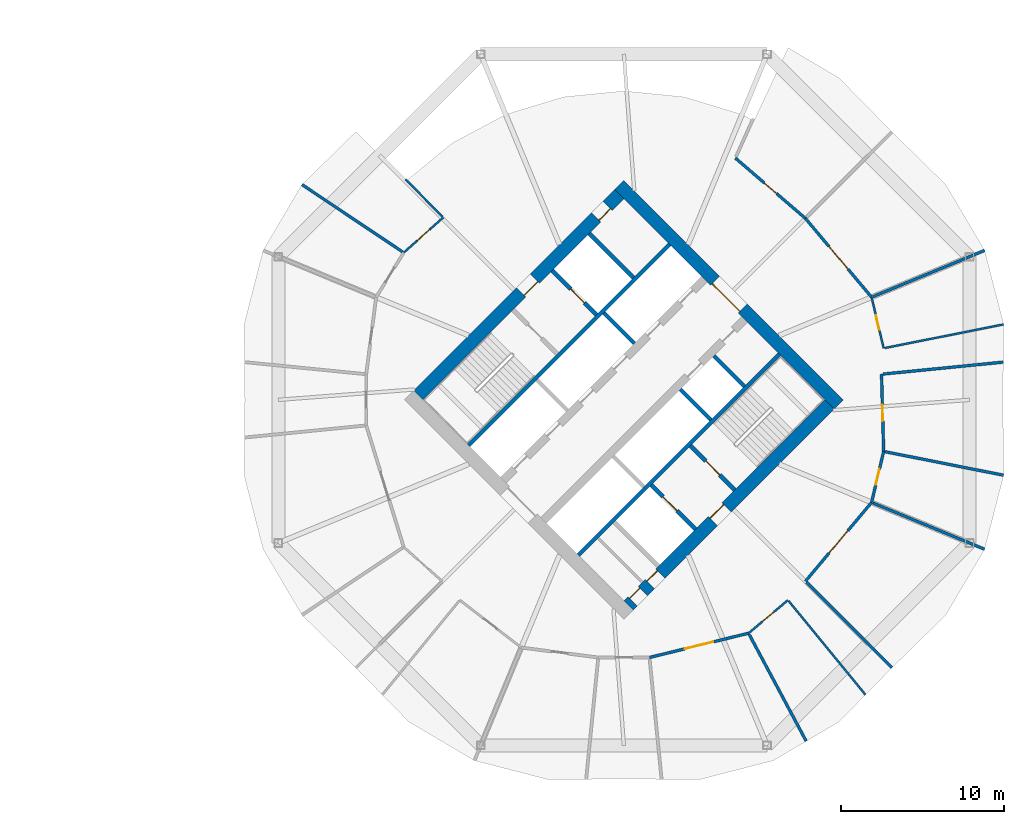
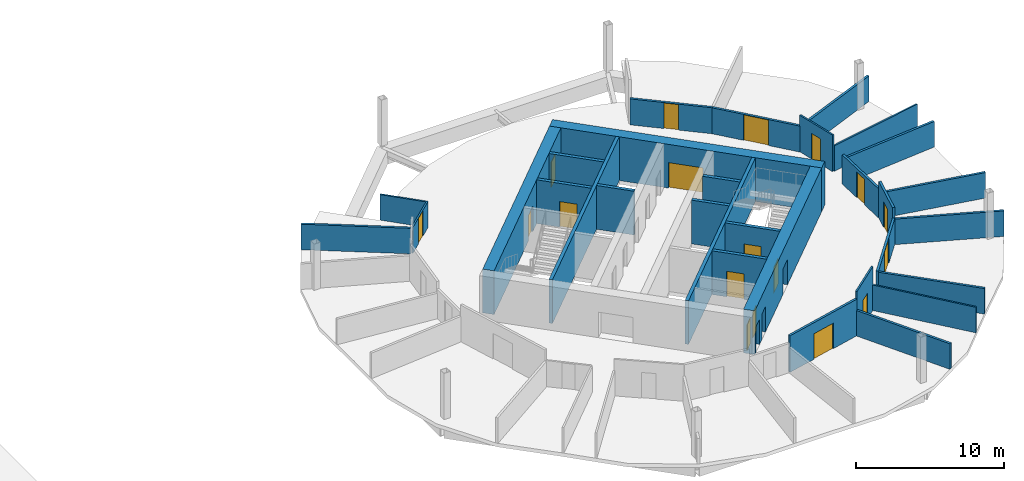
# One storey, part 7 of 9: 31 walls, 18 doors, 18 openings.
"""IFC4 building model written with IfcOpenShell, lengths in metres."""

import ifcopenshell
import ifcopenshell.guid

model = None  # the IFC model being written
_history = None  # IfcOwnerHistory: only IFC2X3 demands one
_inside = {}  # id of a spatial element -> (the spatial element, [elements in it])
_under = {}  # id of a project, library or spatial element -> (it, [spatial elements below it])
_declared = {}  # id of a project -> (the project, [libraries it declares])
_typed = {}  # id of a type object -> (the type object, [elements of that type])
_made_of = {}  # id of a material, layer set ... -> (it, [elements and type objects made of it])


def new_model(schema):
    """Start an empty IFC model of exactly this schema.

    Asked for "IFC4X3", IfcOpenShell would pick the latest addendum, in which some entities
    have other attributes; the version numbers below select the first issue.
    IFC2X3 requires an IfcOwnerHistory on every rooted entity: one is made here for all.
    """
    global model, _history
    if schema == "IFC4X3":
        model = ifcopenshell.file(schema_version=(4, 3, 0, 0))
    else:
        model = ifcopenshell.file(schema=schema)
    _inside.clear()
    _under.clear()
    _declared.clear()
    _typed.clear()
    _made_of.clear()
    _history = None
    if model.schema == "IFC2X3":
        org = make("IfcOrganization", Name="unknown")
        user = make(
            "IfcPersonAndOrganization",
            ThePerson=make("IfcPerson", FamilyName="unknown"),
            TheOrganization=org,
        )
        app = make(
            "IfcApplication",
            ApplicationDeveloper=org,
            Version="unknown",
            ApplicationFullName="unknown",
            ApplicationIdentifier="unknown",
        )
        _history = make(
            "IfcOwnerHistory",
            OwningUser=user,
            OwningApplication=app,
            ChangeAction="ADDED",
            CreationDate=0,
        )
    return model


def make(cls, **values):
    """One entity of the class cls with the attributes given. An attribute that is None is left unset."""
    return model.create_entity(
        cls, **{name: value for name, value in values.items() if value is not None}
    )


def rooted(cls, **values):
    """An entity with a GlobalId (a new one), such as an element, a storey or a relation."""
    return make(cls, GlobalId=ifcopenshell.guid.new(), OwnerHistory=_history, **values)


def si_unit(unit_type, name, prefix=None):
    """IfcSIUnit, for example si_unit("LENGTHUNIT", "METRE", prefix="MILLI")."""
    return make("IfcSIUnit", UnitType=unit_type, Prefix=prefix, Name=name)


def assignment(units):
    """IfcUnitAssignment: the units of a project."""
    return None if units is None else make("IfcUnitAssignment", Units=units)


def point(xyz):
    """IfcCartesianPoint."""
    return None if xyz is None else make("IfcCartesianPoint", Coordinates=xyz)


def direction(xyz):
    """IfcDirection."""
    return None if xyz is None else make("IfcDirection", DirectionRatios=xyz)


def frame(location, z_axis=None, x_axis=None):
    """IfcAxis2Placement3D, a coordinate frame: its origin and axes. An axis left out is left unset."""
    return make(
        "IfcAxis2Placement3D",
        Location=point(location),
        Axis=direction(z_axis),
        RefDirection=direction(x_axis),
    )


def frame_2d(location, x_axis=None):
    """IfcAxis2Placement2D, a coordinate frame in the plane: its origin and x axis."""
    return make(
        "IfcAxis2Placement2D", Location=point(location), RefDirection=direction(x_axis)
    )


def origin():
    """The frame at (0, 0, 0) with its axes left unset."""
    return frame((0.0, 0.0, 0.0))


def place(relative_to, where):
    """IfcLocalPlacement: puts the frame where relative to a parent placement (None: the world)."""
    return make(
        "IfcLocalPlacement", PlacementRelTo=relative_to, RelativePlacement=where
    )


def context(
    kind, dimensions, precision=None, world=None, true_north=None, identifier=None
):
    """IfcGeometricRepresentationContext, for example the 3D "Model" context."""
    return make(
        "IfcGeometricRepresentationContext",
        ContextIdentifier=identifier,
        ContextType=kind,
        CoordinateSpaceDimension=dimensions,
        Precision=precision,
        WorldCoordinateSystem=world,
        TrueNorth=true_north,
    )


def subcontext(parent, identifier, kind, view, scale=None):
    """IfcGeometricRepresentationSubContext, for example "Body" below "Model"."""
    return make(
        "IfcGeometricRepresentationSubContext",
        ContextIdentifier=identifier,
        ContextType=kind,
        ParentContext=parent,
        TargetScale=scale,
        TargetView=view,
    )


def project(units=None, contexts=None):
    """IfcProject with its units and contexts."""
    return rooted(
        "IfcProject",
        Name="project",
        RepresentationContexts=contexts,
        UnitsInContext=assignment(units),
    )


def spatial(cls, under=None, at=None, **own):
    """A site, building, storey or space (cls), placed at a placement, below another one or the project."""
    s = rooted(cls, ObjectPlacement=at, **own)
    if under is not None:
        _under.setdefault(under.id(), (under, []))[1].append(s)
    return s


def profile(cls, at=None, kind="AREA", **sizes):
    """A parametric profile (cls). Its sizes go by their IFC names, for example OverallWidth=200.0."""
    return make(cls, ProfileType=kind, Position=at, **sizes)


def rectangle(**sizes):
    """IfcRectangleProfileDef."""
    return profile("IfcRectangleProfileDef", **sizes)


def extrude(swept, where, along, depth):
    """IfcExtrudedAreaSolid: the profile swept, set in the frame where, extruded along a direction by depth."""
    return make(
        "IfcExtrudedAreaSolid",
        SweptArea=swept,
        Position=where,
        ExtrudedDirection=direction(along),
        Depth=depth,
    )


def shape(context_of_items, identifier, shape_type, items):
    """IfcShapeRepresentation: the items that make up one representation, for example the "Body"."""
    return make(
        "IfcShapeRepresentation",
        ContextOfItems=context_of_items,
        RepresentationIdentifier=identifier,
        RepresentationType=shape_type,
        Items=items,
    )


def material(Name=None, Category=None):
    """IfcMaterial."""
    return make("IfcMaterial", Name=Name, Category=Category)


def layer(
    of_material, thickness, ventilated=None, Name=None, Category=None, Priority=None
):
    """IfcMaterialLayer: one layer of a wall or slab, of a material (None: an air gap)."""
    return make(
        "IfcMaterialLayer",
        Material=of_material,
        LayerThickness=thickness,
        IsVentilated=ventilated,
        Name=Name,
        Category=Category,
        Priority=Priority,
    )


def layer_set(layers, Name=None):
    """IfcMaterialLayerSet."""
    return make("IfcMaterialLayerSet", MaterialLayers=layers, LayerSetName=Name)


def made_of(thing, what):
    """Note that an element or type object is made of a material, layer set ...; save() writes the relation."""
    if what is not None:
        _made_of.setdefault(what.id(), (what, []))[1].append(thing)
    return thing


def type_object(cls, material=None, **own):
    """A type object (cls), such as IfcWallType, which elements share."""
    return made_of(rooted(cls, **own), material)


def element(
    cls,
    number,
    at=None,
    inside=None,
    cuts=None,
    type_object=None,
    material=None,
    context=None,
    identifier="Body",
    shape_type=None,
    held_by="IfcProductDefinitionShape",
    body=None,
    shapes=None,
    **own,
):
    """One element of the class cls, such as IfcWall. Its Tag is "e" and its number.

    at: its placement. inside: the storey or other place that contains it. cuts: it is an
    opening in that element (IfcRelVoidsElement). A single representation is given by context,
    identifier, shape_type and body (its items); several are given by shapes. held_by: the class
    of the entity that holds the representations. save() writes the other relations.
    """
    e = rooted(cls, Tag="e%d" % number, ObjectPlacement=at, **own)
    if body is not None:
        shapes = [shape(context, identifier, shape_type, body)]
    if shapes is not None:
        e.Representation = make(held_by, Representations=shapes)
    if inside is not None:
        _inside.setdefault(inside.id(), (inside, []))[1].append(e)
    if cuts is not None:
        rooted(
            "IfcRelVoidsElement", RelatingBuildingElement=cuts, RelatedOpeningElement=e
        )
    if type_object is not None:
        _typed.setdefault(type_object.id(), (type_object, []))[1].append(e)
    return made_of(e, material)


def fill(opening, filler):
    """IfcRelFillsElement: the door or window that sits in an opening."""
    return rooted(
        "IfcRelFillsElement",
        RelatingOpeningElement=opening,
        RelatedBuildingElement=filler,
    )


def aggregate(whole, parts):
    """IfcRelAggregates: a whole, such as a stair, and the parts it consists of."""
    return rooted("IfcRelAggregates", RelatingObject=whole, RelatedObjects=parts)


def save(model, path):
    """Write the relations noted so far, then the file.

    IfcRelAggregates (storeys below a building ...), IfcRelContainedInSpatialStructure (elements
    in a storey), IfcRelDefinesByType, IfcRelAssociatesMaterial and IfcRelDeclares: one each for
    every whole, place, type object, material and project.
    """
    for whole, parts in _under.values():
        aggregate(whole, parts)
    for where, things in _inside.values():
        rooted(
            "IfcRelContainedInSpatialStructure",
            RelatedElements=things,
            RelatingStructure=where,
        )
    for kind, things in _typed.values():
        rooted("IfcRelDefinesByType", RelatedObjects=things, RelatingType=kind)
    for what, things in _made_of.values():
        rooted("IfcRelAssociatesMaterial", RelatedObjects=things, RelatingMaterial=what)
    for by, libraries in _declared.values():
        rooted("IfcRelDeclares", RelatingContext=by, RelatedDefinitions=libraries)
    model.write(path)


model = new_model("IFC4")

# Units and contexts
model_context = context("Model", 3, precision=1e-05, world=origin(), true_north=direction((0.0, 1.0)))
body_context = subcontext(model_context, "Body", "Model", "MODEL_VIEW")
ifc_project = project(units=[si_unit("LENGTHUNIT", "METRE"), si_unit("AREAUNIT", "SQUARE_METRE"), si_unit("VOLUMEUNIT", "CUBIC_METRE"), si_unit("PLANEANGLEUNIT", "RADIAN"), si_unit("MASSUNIT", "GRAM", prefix="KILO")], contexts=[model_context])

# Site, building, storey
site_placement = place(None, origin())
site = spatial("IfcSite", under=ifc_project, at=site_placement, CompositionType="ELEMENT")
building_placement = place(site_placement, origin())
building = spatial("IfcBuilding", under=site, at=building_placement, Name="Ogive Gate Towers", CompositionType="ELEMENT")
storey_placement = place(building_placement, frame((0.0, 0.0, 67.5)))
storey = spatial("IfcBuildingStorey", under=building, at=storey_placement, Name="L15", CompositionType="ELEMENT", Elevation=67.5)

# Walls
ifc_material_1 = material(Name="Gypsum board acoustic partition")
ifc_layer_1 = layer(ifc_material_1, 0.175048828125)
ifc_layer_set_1 = layer_set([ifc_layer_1], Name="Acoustic partition 175")
wall_type_1 = type_object("IfcWallType", Name="Acoustic partition 175", PredefinedType="PARTITIONING", material=ifc_layer_set_1)
for number, where, z_axis, x_axis, name in (
    (1, (59.231689453125, 2.308837890625, 0.0), (0.0, 0.0, 1.0), (-0.995098680944, -0.098886880746, 0.0), "Partition T2-L15-001"),
    (2, (58.090087890625, 9.14990234375, 0.0), (0.0, 0.0, 1.0), (-0.92387943858, -0.382683659136, 0.0), "Partition T2-L15-003"),
    (3, (16.290283203125, 13.1787109375, 0.0), (0.0, 0.0, 1.0), (0.831293938964, -0.55583305681, 0.0), "Partition T2-L15-007"),
    (4, (47.1640625, -20.8994140625, 0.0), (0.0, 0.0, 1.0), (-0.471152705677, 0.882051658313, 0.0), "Partition T2-L15-017"),
    (5, (52.411376953125, -16.411376953125, 0.0), (0.0, 0.0, 1.0), (-0.707106781187, 0.707106781187, 0.0), "Partition T2-L15-019"),
    (6, (58.090087890625, -9.14990234375, 0.0), (0.0, 0.0, 1.0), (-0.92387943858, 0.382683659136, 0.0), "Partition T2-L15-020"),
    (7, (59.25537109375, -4.6181640625, 0.0), (0.0, 0.0, 1.0), (-0.980848521473, 0.194772117935, 0.0), "Partition T2-L15-021"),
):
    element("IfcWall", number, at=place(storey_placement, frame(where, z_axis=z_axis, x_axis=x_axis)), inside=storey, type_object=wall_type_1, Name=name, PredefinedType="PARTITIONING", context=body_context, shape_type="SweptSolid", body=[
        extrude(rectangle(XDim=7.40673828125, YDim=0.175048828125, at=frame_2d((3.703369140625, 0.0))), origin(), (0.0, 0.0, 1.0), 2.10009765625),
    ])

# Wall, opening, door
wall_1_placement = place(storey_placement, frame((42.8271484375, 14.80224609375, 0.0), z_axis=(0.0, 0.0, 1.0), x_axis=(0.75773381505, -0.652563763574, 0.0)))
wall_1 = element("IfcWall", 8, at=wall_1_placement, inside=storey, type_object=wall_type_1, Name="Partition T2-L15-022", PredefinedType="PARTITIONING", context=body_context, shape_type="SweptSolid", body=[
    extrude(rectangle(XDim=5.65478515625, YDim=0.175048828125, at=frame_2d((2.827392578125, 0.0))), origin(), (0.0, 0.0, 1.0), 2.139892578125),
])
opening_1_placement = place(wall_1_placement, frame((2.326904296875, 0.0, 0.0)))
opening_1 = element("IfcOpeningElement", 9, at=opening_1_placement, cuts=wall_1, Name="Opening T2-L15-D01", PredefinedType="OPENING", context=body_context, shape_type="SweptSolid", body=[
    extrude(rectangle(XDim=1.0, YDim=2.10009765625, at=frame_2d((0.5, 1.050048828125))), frame((0.0, 0.09765625, 0.0), z_axis=(0.0, -1.0, 0.0), x_axis=(1.0, 0.0, 0.0)), (0.0, 0.0, 1.0), 0.195068359375),
])
ifc_material_2 = material(Name="Timber door", Category="wood")
door_type_1 = type_object("IfcDoorType", Name="Door 1000", OperationType="NOTDEFINED", PredefinedType="DOOR", material=ifc_material_2)
door_1_placement = place(opening_1_placement, origin())
door_1 = element("IfcDoor", 10, at=door_1_placement, inside=storey, type_object=door_type_1, Name="Door T2-L15-D01", OperationType="SINGLE_SWING_LEFT", OverallHeight=2.10009765625, OverallWidth=1.0, PredefinedType="DOOR", context=body_context, shape_type="SweptSolid", body=[
    extrude(rectangle(XDim=1.0, YDim=2.10009765625, at=frame_2d((0.5, 1.050048828125))), frame((0.0, 0.02490234375, 0.0), z_axis=(0.0, -1.0, 0.0), x_axis=(1.0, 0.0, 0.0)), (0.0, 0.0, 1.0), 0.050048828125),
])
fill(opening_1, door_1)

wall_2_placement = place(storey_placement, frame((47.112060546875, 11.112060546875, 0.0), z_axis=(0.0, 0.0, 1.0), x_axis=(0.642906942944, -0.765944294785, 0.0)))
wall_2 = element("IfcWall", 11, at=wall_2_placement, inside=storey, type_object=wall_type_1, Name="Partition T2-L15-023", PredefinedType="PARTITIONING", context=body_context, shape_type="SweptSolid", body=[
    extrude(rectangle(XDim=6.30615234375, YDim=0.175048828125, at=frame_2d((3.153076171875, 0.0))), origin(), (0.0, 0.0, 1.0), 2.139892578125),
])
opening_2_placement = place(wall_2_placement, frame((2.2529296875, 0.0, 0.0)))
opening_2 = element("IfcOpeningElement", 12, at=opening_2_placement, cuts=wall_2, Name="Opening T2-L15-D02", PredefinedType="OPENING", context=body_context, shape_type="SweptSolid", body=[
    extrude(rectangle(XDim=1.800048828125, YDim=2.10009765625, at=frame_2d((0.89990234375, 1.050048828125))), frame((0.0, 0.09765625, 0.0), z_axis=(0.0, -1.0, 0.0), x_axis=(1.0, 0.0, 0.0)), (0.0, 0.0, 1.0), 0.195068359375),
])
door_type_2 = type_object("IfcDoorType", Name="Door pair 1800", OperationType="NOTDEFINED", PredefinedType="DOOR", material=ifc_material_2)
door_2_placement = place(opening_2_placement, origin())
door_2 = element("IfcDoor", 13, at=door_2_placement, inside=storey, type_object=door_type_2, Name="Door T2-L15-D02", OperationType="DOUBLE_DOOR_DOUBLE_SWING", OverallHeight=2.10009765625, OverallWidth=1.800048828125, PredefinedType="DOOR", context=body_context, shape_type="SweptSolid", body=[
    extrude(rectangle(XDim=1.800048828125, YDim=2.10009765625, at=frame_2d((0.89990234375, 1.050048828125))), frame((0.0, 0.02490234375, 0.0), z_axis=(0.0, -1.0, 0.0), x_axis=(1.0, 0.0, 0.0)), (0.0, 0.0, 1.0), 0.050048828125),
])
fill(opening_2, door_2)

wall_3_placement = place(storey_placement, frame((51.7744140625, 1.567626953125, 0.0), z_axis=(0.0, 0.0, 1.0), x_axis=(0.027575004634, -0.99961973726, 0.0)))
wall_3 = element("IfcWall", 14, at=wall_3_placement, inside=storey, type_object=wall_type_1, Name="Partition T2-L15-025", PredefinedType="PARTITIONING", context=body_context, shape_type="SweptSolid", body=[
    extrude(rectangle(XDim=4.727783203125, YDim=0.175048828125, at=frame_2d((2.36376953125, 0.0))), origin(), (0.0, 0.0, 1.0), 2.39990234375),
])
opening_3_placement = place(wall_3_placement, frame((1.864013671875, 0.0, 0.0)))
opening_3 = element("IfcOpeningElement", 15, at=opening_3_placement, cuts=wall_3, Name="Opening T2-L15-D04", PredefinedType="OPENING", context=body_context, shape_type="SweptSolid", body=[
    extrude(rectangle(XDim=1.0, YDim=2.10009765625, at=frame_2d((0.5, 1.050048828125))), frame((0.0, 0.09765625, 0.0), z_axis=(0.0, -1.0, 0.0), x_axis=(1.0, 0.0, 0.0)), (0.0, 0.0, 1.0), 0.195068359375),
])
door_3_placement = place(opening_3_placement, origin())
door_3 = element("IfcDoor", 16, at=door_3_placement, inside=storey, type_object=door_type_1, Name="Door T2-L15-D04", OperationType="SINGLE_SWING_LEFT", OverallHeight=2.10009765625, OverallWidth=1.0, PredefinedType="DOOR", context=body_context, shape_type="SweptSolid", body=[
    extrude(rectangle(XDim=1.0, YDim=2.10009765625, at=frame_2d((0.5, 1.050048828125))), frame((0.0, 0.02490234375, 0.0), z_axis=(0.0, -1.0, 0.0), x_axis=(1.0, 0.0, 0.0)), (0.0, 0.0, 1.0), 0.050048828125),
])
fill(opening_3, door_3)

wall_4_placement = place(storey_placement, frame((51.90478515625, -3.158447265625, 0.0), z_axis=(0.0, 0.0, 1.0), x_axis=(-0.23009487344, -0.973168201914, 0.0)))
wall_4 = element("IfcWall", 17, at=wall_4_placement, inside=storey, type_object=wall_type_1, Name="Partition T2-L15-026", PredefinedType="PARTITIONING", context=body_context, shape_type="SweptSolid", body=[
    extrude(rectangle(XDim=3.209716796875, YDim=0.175048828125, at=frame_2d((1.60498046875, 0.0))), origin(), (0.0, 0.0, 1.0), 3.010009765625),
])
opening_4_placement = place(wall_4_placement, frame((1.10498046875, 0.0, 0.0)))
opening_4 = element("IfcOpeningElement", 18, at=opening_4_placement, cuts=wall_4, Name="Opening T2-L15-D05", PredefinedType="OPENING", context=body_context, shape_type="SweptSolid", body=[
    extrude(rectangle(XDim=1.0, YDim=2.10009765625, at=frame_2d((0.5, 1.050048828125))), frame((0.0, 0.09765625, 0.0), z_axis=(0.0, -1.0, 0.0), x_axis=(1.0, 0.0, 0.0)), (0.0, 0.0, 1.0), 0.195068359375),
])
door_4_placement = place(opening_4_placement, origin())
door_4 = element("IfcDoor", 19, at=door_4_placement, inside=storey, type_object=door_type_1, Name="Door T2-L15-D05", OperationType="SINGLE_SWING_LEFT", OverallHeight=2.10009765625, OverallWidth=1.0, PredefinedType="DOOR", context=body_context, shape_type="SweptSolid", body=[
    extrude(rectangle(XDim=1.0, YDim=2.10009765625, at=frame_2d((0.5, 1.050048828125))), frame((0.0, 0.02490234375, 0.0), z_axis=(0.0, -1.0, 0.0), x_axis=(1.0, 0.0, 0.0)), (0.0, 0.0, 1.0), 0.050048828125),
])
fill(opening_4, door_4)

wall_5_placement = place(storey_placement, frame((51.166259765625, -6.281982421875, 0.0), z_axis=(0.0, 0.0, 1.0), x_axis=(-0.642906942944, -0.765944294785, 0.0)))
wall_5 = element("IfcWall", 20, at=wall_5_placement, inside=storey, type_object=wall_type_1, Name="Partition T2-L15-027", PredefinedType="PARTITIONING", context=body_context, shape_type="SweptSolid", body=[
    extrude(rectangle(XDim=6.30615234375, YDim=0.175048828125, at=frame_2d((3.153076171875, 0.0))), origin(), (0.0, 0.0, 1.0), 2.139892578125),
])
opening_5_placement = place(wall_5_placement, frame((2.2529296875, 0.0, 0.0)))
opening_5 = element("IfcOpeningElement", 21, at=opening_5_placement, cuts=wall_5, Name="Opening T2-L15-D06", PredefinedType="OPENING", context=body_context, shape_type="SweptSolid", body=[
    extrude(rectangle(XDim=1.800048828125, YDim=2.10009765625, at=frame_2d((0.89990234375, 1.050048828125))), frame((0.0, 0.09765625, 0.0), z_axis=(0.0, -1.0, 0.0), x_axis=(1.0, 0.0, 0.0)), (0.0, 0.0, 1.0), 0.195068359375),
])
door_5_placement = place(opening_5_placement, origin())
door_5 = element("IfcDoor", 22, at=door_5_placement, inside=storey, type_object=door_type_2, Name="Door T2-L15-D06", OperationType="DOUBLE_DOOR_DOUBLE_SWING", OverallHeight=2.10009765625, OverallWidth=1.800048828125, PredefinedType="DOOR", context=body_context, shape_type="SweptSolid", body=[
    extrude(rectangle(XDim=1.800048828125, YDim=2.10009765625, at=frame_2d((0.89990234375, 1.050048828125))), frame((0.0, 0.02490234375, 0.0), z_axis=(0.0, -1.0, 0.0), x_axis=(1.0, 0.0, 0.0)), (0.0, 0.0, 1.0), 0.050048828125),
])
fill(opening_5, door_5)

wall_6_placement = place(storey_placement, frame((43.633056640625, -14.2890625, 0.0), z_axis=(0.0, 0.0, 1.0), x_axis=(-0.971299523698, -0.237859696594, 0.0)))
wall_6 = element("IfcWall", 23, at=wall_6_placement, inside=storey, type_object=wall_type_1, Name="Partition T2-L15-029", PredefinedType="PARTITIONING", context=body_context, shape_type="SweptSolid", body=[
    extrude(rectangle(XDim=6.24462890625, YDim=0.175048828125, at=frame_2d((3.122314453125, 0.0))), origin(), (0.0, 0.0, 1.0), 3.010009765625),
])
opening_6_placement = place(wall_6_placement, frame((2.221923828125, 0.0, 0.0)))
opening_6 = element("IfcOpeningElement", 24, at=opening_6_placement, cuts=wall_6, Name="Opening T2-L15-D08", PredefinedType="OPENING", context=body_context, shape_type="SweptSolid", body=[
    extrude(rectangle(XDim=1.800048828125, YDim=2.10009765625, at=frame_2d((0.89990234375, 1.050048828125))), frame((0.0, 0.09765625, 0.0), z_axis=(0.0, -1.0, 0.0), x_axis=(1.0, 0.0, 0.0)), (0.0, 0.0, 1.0), 0.195068359375),
])
door_6_placement = place(opening_6_placement, origin())
door_6 = element("IfcDoor", 25, at=door_6_placement, inside=storey, type_object=door_type_2, Name="Door T2-L15-D08", OperationType="DOUBLE_DOOR_DOUBLE_SWING", OverallHeight=2.10009765625, OverallWidth=1.800048828125, PredefinedType="DOOR", context=body_context, shape_type="SweptSolid", body=[
    extrude(rectangle(XDim=1.800048828125, YDim=2.10009765625, at=frame_2d((0.89990234375, 1.050048828125))), frame((0.0, 0.02490234375, 0.0), z_axis=(0.0, -1.0, 0.0), x_axis=(1.0, 0.0, 0.0)), (0.0, 0.0, 1.0), 0.050048828125),
])
fill(opening_6, door_6)

# Wall, openings, doors
ifc_material_3 = material(Name="Concrete C60/75", Category="concrete")
ifc_layer_2 = layer(ifc_material_3, 0.800048828125)
ifc_layer_set_2 = layer_set([ifc_layer_2], Name="Core wall 800 mm")
wall_type_2 = type_object("IfcWallType", Name="Core wall 800 mm", PredefinedType="SHEAR", material=ifc_layer_set_2)
wall_7_placement = place(storey_placement, frame((36.28271484375, -12.58642578125, 0.0), z_axis=(0.0, 0.0, 1.0), x_axis=(0.707106781187, 0.707106781187, 0.0)))
wall_7 = element("IfcWall", 26, at=wall_7_placement, inside=storey, type_object=wall_type_2, Name="T2 L15 Core wall 800 mm", PredefinedType="SHEAR", context=body_context, shape_type="SweptSolid", body=[
    extrude(rectangle(XDim=17.400146484375, YDim=0.800048828125, at=frame_2d((8.7001953125, 0.0))), origin(), (0.0, 0.0, 1.0), 3.60009765625),
])
opening_7_placement = place(wall_7_placement, frame((7.300048828125, 0.0, 0.0)))
opening_7 = element("IfcOpeningElement", 27, at=opening_7_placement, cuts=wall_7, Name="Opening KD-T2-L15-16", PredefinedType="OPENING", context=body_context, shape_type="SweptSolid", body=[
    extrude(rectangle(XDim=1.199951171875, YDim=2.10009765625, at=frame_2d((0.60009765625, 1.050048828125))), frame((0.0, 0.41015625, 0.0), z_axis=(0.0, -1.0, 0.0), x_axis=(1.0, 0.0, 0.0)), (0.0, 0.0, 1.0), 0.820068359375),
])
opening_8_placement = place(wall_7_placement, frame((0.35009765625, 0.0, 0.0)))
opening_8 = element("IfcOpeningElement", 28, at=opening_8_placement, cuts=wall_7, Name="Opening KD-T2-L15-18", PredefinedType="OPENING", context=body_context, shape_type="SweptSolid", body=[
    extrude(rectangle(XDim=0.89990234375, YDim=2.10009765625, at=frame_2d((0.449951171875, 1.050048828125))), frame((0.0, 0.41015625, 0.0), z_axis=(0.0, -1.0, 0.0), x_axis=(1.0, 0.0, 0.0)), (0.0, 0.0, 1.0), 0.820068359375),
])
opening_9_placement = place(wall_7_placement, frame((1.85009765625, 0.0, 0.0)))
opening_9 = element("IfcOpeningElement", 29, at=opening_9_placement, cuts=wall_7, Name="Opening KD-T2-L15-19", PredefinedType="OPENING", context=body_context, shape_type="SweptSolid", body=[
    extrude(rectangle(XDim=0.89990234375, YDim=2.10009765625, at=frame_2d((0.449951171875, 1.050048828125))), frame((0.0, 0.41015625, 0.0), z_axis=(0.0, -1.0, 0.0), x_axis=(1.0, 0.0, 0.0)), (0.0, 0.0, 1.0), 0.820068359375),
])
door_type_3 = type_object("IfcDoorType", Name="Core WC door 900 x 2100", OperationType="NOTDEFINED", PredefinedType="DOOR", material=ifc_material_2)
door_7_placement = place(opening_8_placement, origin())
door_7 = element("IfcDoor", 30, at=door_7_placement, inside=storey, type_object=door_type_3, Name="T2 L15 Core door", OperationType="SINGLE_SWING_LEFT", OverallHeight=2.10009765625, OverallWidth=0.89990234375, PredefinedType="DOOR", context=body_context, shape_type="SweptSolid", body=[
    extrude(rectangle(XDim=0.89990234375, YDim=2.10009765625, at=frame_2d((0.449951171875, 1.050048828125))), frame((0.0, 0.27490234375, 0.0), z_axis=(0.0, -1.0, 0.0), x_axis=(1.0, 0.0, 0.0)), (0.0, 0.0, 1.0), 0.050048828125),
])
fill(opening_8, door_7)
door_8_placement = place(opening_9_placement, origin())
door_8 = element("IfcDoor", 31, at=door_8_placement, inside=storey, type_object=door_type_3, Name="T2 L15 Core door", OperationType="SINGLE_SWING_RIGHT", OverallHeight=2.10009765625, OverallWidth=0.89990234375, PredefinedType="DOOR", context=body_context, shape_type="SweptSolid", body=[
    extrude(rectangle(XDim=0.89990234375, YDim=2.10009765625, at=frame_2d((0.449951171875, 1.050048828125))), frame((0.0, 0.27490234375, 0.0), z_axis=(0.0, -1.0, 0.0), x_axis=(1.0, 0.0, 0.0)), (0.0, 0.0, 1.0), 0.050048828125),
])
fill(opening_9, door_8)
ifc_material_4 = material(Name="Steel fire door", Category="steel")
door_type_4 = type_object("IfcDoorType", Name="Core door FD60S 1200 x 2100", OperationType="NOTDEFINED", PredefinedType="DOOR", material=ifc_material_4)
door_9_placement = place(opening_7_placement, origin())
door_9 = element("IfcDoor", 32, at=door_9_placement, inside=storey, type_object=door_type_4, Name="T2 L15 Fire-fighting lobby door", OperationType="SINGLE_SWING_LEFT", OverallHeight=2.10009765625, OverallWidth=1.199951171875, PredefinedType="DOOR", context=body_context, shape_type="SweptSolid", body=[
    extrude(rectangle(XDim=1.199951171875, YDim=2.10009765625, at=frame_2d((0.60009765625, 1.050048828125))), frame((0.0, 0.27490234375, 0.0), z_axis=(0.0, -1.0, 0.0), x_axis=(1.0, 0.0, 0.0)), (0.0, 0.0, 1.0), 0.050048828125),
])
fill(opening_7, door_9)

wall_8_placement = place(storey_placement, frame((23.41357421875, 0.28271484375, 0.0), z_axis=(0.0, 0.0, 1.0), x_axis=(0.707106781187, 0.707106781187, 0.0)))
wall_8 = element("IfcWall", 33, at=wall_8_placement, inside=storey, type_object=wall_type_2, Name="T2 L15 Core wall 800 mm", PredefinedType="SHEAR", context=body_context, shape_type="SweptSolid", body=[
    extrude(rectangle(XDim=17.400146484375, YDim=0.800048828125, at=frame_2d((8.7001953125, 0.0))), origin(), (0.0, 0.0, 1.0), 3.60009765625),
])
opening_10_placement = place(wall_8_placement, frame((8.89990234375, 0.0, 0.0)))
opening_10 = element("IfcOpeningElement", 34, at=opening_10_placement, cuts=wall_8, Name="Opening KD-T2-L15-15", PredefinedType="OPENING", context=body_context, shape_type="SweptSolid", body=[
    extrude(rectangle(XDim=1.199951171875, YDim=2.10009765625, at=frame_2d((0.60009765625, 1.050048828125))), frame((0.0, 0.41015625, 0.0), z_axis=(0.0, -1.0, 0.0), x_axis=(1.0, 0.0, 0.0)), (0.0, 0.0, 1.0), 0.820068359375),
])
opening_11_placement = place(wall_8_placement, frame((15.39990234375, 0.0, 0.0)))
opening_11 = element("IfcOpeningElement", 35, at=opening_11_placement, cuts=wall_8, Name="Opening KD-T2-L15-17", PredefinedType="OPENING", context=body_context, shape_type="SweptSolid", body=[
    extrude(rectangle(XDim=1.0, YDim=2.10009765625, at=frame_2d((0.5, 1.050048828125))), frame((0.0, 0.41015625, 0.0), z_axis=(0.0, -1.0, 0.0), x_axis=(1.0, 0.0, 0.0)), (0.0, 0.0, 1.0), 0.820068359375),
])
door_type_5 = type_object("IfcDoorType", Name="Accessible WC door 1000 x 2100", OperationType="NOTDEFINED", PredefinedType="DOOR", material=ifc_material_2)
door_10_placement = place(opening_11_placement, origin())
door_10 = element("IfcDoor", 36, at=door_10_placement, inside=storey, type_object=door_type_5, Name="T2 L15 Core door", OperationType="SINGLE_SWING_RIGHT", OverallHeight=2.10009765625, OverallWidth=1.0, PredefinedType="DOOR", context=body_context, shape_type="SweptSolid", body=[
    extrude(rectangle(XDim=1.0, YDim=2.10009765625, at=frame_2d((0.5, 1.050048828125))), frame((0.0, -0.22509765625, 0.0), z_axis=(0.0, -1.0, 0.0), x_axis=(1.0, 0.0, 0.0)), (0.0, 0.0, 1.0), 0.050048828125),
])
fill(opening_11, door_10)
door_11_placement = place(opening_10_placement, origin())
door_11 = element("IfcDoor", 37, at=door_11_placement, inside=storey, type_object=door_type_4, Name="T2 L15 Fire-fighting lobby door", OperationType="SINGLE_SWING_RIGHT", OverallHeight=2.10009765625, OverallWidth=1.199951171875, PredefinedType="DOOR", context=body_context, shape_type="SweptSolid", body=[
    extrude(rectangle(XDim=1.199951171875, YDim=2.10009765625, at=frame_2d((0.60009765625, 1.050048828125))), frame((0.0, -0.22509765625, 0.0), z_axis=(0.0, -1.0, 0.0), x_axis=(1.0, 0.0, 0.0)), (0.0, 0.0, 1.0), 0.050048828125),
])
fill(opening_10, door_11)

# Wall, opening, door
wall_9_placement = place(storey_placement, frame((49.152099609375, -0.28271484375, 0.0), z_axis=(0.0, 0.0, 1.0), x_axis=(-0.707106781187, 0.707106781187, 0.0)))
wall_9 = element("IfcWall", 38, at=wall_9_placement, inside=storey, type_object=wall_type_2, Name="T2 L15 Core wall 800 mm", PredefinedType="SHEAR", context=body_context, shape_type="SweptSolid", body=[
    extrude(rectangle(XDim=18.999755859375, YDim=0.800048828125, at=frame_2d((9.5, 0.0))), origin(), (0.0, 0.0, 1.0), 3.60009765625),
])
opening_12_placement = place(wall_9_placement, frame((8.300048828125, 0.0, 0.0)))
opening_12 = element("IfcOpeningElement", 39, at=opening_12_placement, cuts=wall_9, Name="Opening KD-T2-L15-02", PredefinedType="OPENING", context=body_context, shape_type="SweptSolid", body=[
    extrude(rectangle(XDim=2.39990234375, YDim=2.10009765625, at=frame_2d((1.199951171875, 1.050048828125))), frame((0.0, 0.41015625, 0.0), z_axis=(0.0, -1.0, 0.0), x_axis=(1.0, 0.0, 0.0)), (0.0, 0.0, 1.0), 0.820068359375),
])
door_type_6 = type_object("IfcDoorType", Name="Core double door FD60S 2400 x 2100", OperationType="DOUBLE_DOOR_SINGLE_SWING", PredefinedType="DOOR", material=ifc_material_4)
door_12_placement = place(opening_12_placement, origin())
door_12 = element("IfcDoor", 40, at=door_12_placement, inside=storey, type_object=door_type_6, Name="T2 L15 Core door double", OperationType="DOUBLE_DOOR_SINGLE_SWING", OverallHeight=2.10009765625, OverallWidth=2.39990234375, PredefinedType="DOOR", context=body_context, shape_type="SweptSolid", body=[
    extrude(rectangle(XDim=2.39990234375, YDim=2.10009765625, at=frame_2d((1.199951171875, 1.050048828125))), frame((0.0, 0.27490234375, 0.0), z_axis=(0.0, -1.0, 0.0), x_axis=(1.0, 0.0, 0.0)), (0.0, 0.0, 1.0), 0.050048828125),
])
fill(opening_12, door_12)

# Walls
ifc_material_5 = material(Name="Gypsum board partition")
ifc_layer_3 = layer(ifc_material_5, 0.125)
ifc_layer_set_3 = layer_set([ifc_layer_3], Name="Partition 125")
wall_type_3 = type_object("IfcWallType", Name="Partition 125", PredefinedType="PARTITIONING", material=ifc_layer_set_3)
wall_10_placement = place(storey_placement, frame((59.25537109375, 4.6181640625, 0.0), z_axis=(0.0, 0.0, 1.0), x_axis=(-0.980847627209, -0.194776621285, 0.0)))
element("IfcWall", 41, at=wall_10_placement, inside=storey, type_object=wall_type_3, Name="Partition T2-L15-002", PredefinedType="PARTITIONING", context=body_context, shape_type="SweptSolid", body=[
    extrude(rectangle(XDim=7.431640625, YDim=0.125, at=frame_2d((3.7158203125, 0.0))), origin(), (0.0, 0.0, 1.0), 2.10009765625),
])
wall_11_placement = place(storey_placement, frame((22.63525390625, 13.506103515625, 0.0), z_axis=(0.0, 0.0, 1.0), x_axis=(0.699991154973, -0.714151512608, 0.0)))
element("IfcWall", 42, at=wall_11_placement, inside=storey, type_object=wall_type_3, Name="Partition T2-L15-006", PredefinedType="PARTITIONING", context=body_context, shape_type="SweptSolid", body=[
    extrude(rectangle(XDim=3.22412109375, YDim=0.125, at=frame_2d((1.612060546875, 0.0))), origin(), (0.0, 0.0, 1.0), 2.10009765625),
])
wall_12_placement = place(storey_placement, frame((50.794677734375, -18.06005859375, 0.0), z_axis=(0.0, 0.0, 1.0), x_axis=(-0.633699220446, 0.773579535669, 0.0)))
element("IfcWall", 43, at=wall_12_placement, inside=storey, type_object=wall_type_3, Name="Partition T2-L15-018", PredefinedType="PARTITIONING", context=body_context, shape_type="SweptSolid", body=[
    extrude(rectangle(XDim=7.431640625, YDim=0.125, at=frame_2d((3.7158203125, 0.0))), origin(), (0.0, 0.0, 1.0), 2.10009765625),
])

# Wall, opening, door
wall_13_placement = place(storey_placement, frame((51.166259765625, 6.281982421875, 0.0), z_axis=(0.0, 0.0, 1.0), x_axis=(0.23009487344, -0.973168201914, 0.0)))
wall_13 = element("IfcWall", 44, at=wall_13_placement, inside=storey, type_object=wall_type_3, Name="Partition T2-L15-024", PredefinedType="PARTITIONING", context=body_context, shape_type="SweptSolid", body=[
    extrude(rectangle(XDim=3.209716796875, YDim=0.125, at=frame_2d((1.60498046875, 0.0))), origin(), (0.0, 0.0, 1.0), 3.010009765625),
])
opening_13_placement = place(wall_13_placement, frame((1.155029296875, 0.0, 0.0)))
opening_13 = element("IfcOpeningElement", 45, at=opening_13_placement, cuts=wall_13, Name="Opening T2-L15-D03", PredefinedType="OPENING", context=body_context, shape_type="SweptSolid", body=[
    extrude(rectangle(XDim=0.89990234375, YDim=2.10009765625, at=frame_2d((0.449951171875, 1.050048828125))), frame((0.0, 0.072509765625, 0.0), z_axis=(0.0, -1.0, 0.0), x_axis=(1.0, 0.0, 0.0)), (0.0, 0.0, 1.0), 0.14501953125),
])
door_type_7 = type_object("IfcDoorType", Name="Door 900", OperationType="NOTDEFINED", PredefinedType="DOOR", material=ifc_material_2)
door_13_placement = place(opening_13_placement, origin())
door_13 = element("IfcDoor", 46, at=door_13_placement, inside=storey, type_object=door_type_7, Name="Door T2-L15-D03", OperationType="SINGLE_SWING_RIGHT", OverallHeight=2.10009765625, OverallWidth=0.89990234375, PredefinedType="DOOR", context=body_context, shape_type="SweptSolid", body=[
    extrude(rectangle(XDim=0.89990234375, YDim=2.10009765625, at=frame_2d((0.449951171875, 1.050048828125))), frame((0.0, 0.02490234375, 0.0), z_axis=(0.0, -1.0, 0.0), x_axis=(1.0, 0.0, 0.0)), (0.0, 0.0, 1.0), 0.050048828125),
])
fill(opening_13, door_13)

wall_14_placement = place(storey_placement, frame((46.045654296875, -12.2626953125, 0.0), z_axis=(0.0, 0.0, 1.0), x_axis=(-0.765738446814, -0.643152105703, 0.0)))
wall_14 = element("IfcWall", 47, at=wall_14_placement, inside=storey, type_object=wall_type_3, Name="Partition T2-L15-028", PredefinedType="PARTITIONING", context=body_context, shape_type="SweptSolid", body=[
    extrude(rectangle(XDim=3.150634765625, YDim=0.125, at=frame_2d((1.5751953125, 0.0))), origin(), (0.0, 0.0, 1.0), 3.60009765625),
])
opening_14_placement = place(wall_14_placement, frame((1.125, 0.0, 0.0)))
opening_14 = element("IfcOpeningElement", 48, at=opening_14_placement, cuts=wall_14, Name="Opening T2-L15-D07", PredefinedType="OPENING", context=body_context, shape_type="SweptSolid", body=[
    extrude(rectangle(XDim=0.89990234375, YDim=2.10009765625, at=frame_2d((0.449951171875, 1.050048828125))), frame((0.0, 0.072509765625, 0.0), z_axis=(0.0, -1.0, 0.0), x_axis=(1.0, 0.0, 0.0)), (0.0, 0.0, 1.0), 0.14501953125),
])
door_14_placement = place(opening_14_placement, origin())
door_14 = element("IfcDoor", 49, at=door_14_placement, inside=storey, type_object=door_type_7, Name="Door T2-L15-D07", OperationType="SINGLE_SWING_RIGHT", OverallHeight=2.10009765625, OverallWidth=0.89990234375, PredefinedType="DOOR", context=body_context, shape_type="SweptSolid", body=[
    extrude(rectangle(XDim=0.89990234375, YDim=2.10009765625, at=frame_2d((0.449951171875, 1.050048828125))), frame((0.0, 0.02490234375, 0.0), z_axis=(0.0, -1.0, 0.0), x_axis=(1.0, 0.0, 0.0)), (0.0, 0.0, 1.0), 0.050048828125),
])
fill(opening_14, door_14)

wall_15_placement = place(storey_placement, frame((22.520263671875, 9.012939453125, 0.0), z_axis=(0.0, 0.0, 1.0), x_axis=(0.747613520885, 0.664134040228, 0.0)))
wall_15 = element("IfcWall", 50, at=wall_15_placement, inside=storey, type_object=wall_type_3, Name="Partition T2-L15-038", PredefinedType="PARTITIONING", context=body_context, shape_type="SweptSolid", body=[
    extrude(rectangle(XDim=3.231689453125, YDim=0.125, at=frame_2d((1.61572265625, 0.0))), origin(), (0.0, 0.0, 1.0), 2.139892578125),
])
opening_15_placement = place(wall_15_placement, frame((1.115966796875, 0.0, 0.0)))
opening_15 = element("IfcOpeningElement", 51, at=opening_15_placement, cuts=wall_15, Name="Opening T2-L15-D17", PredefinedType="OPENING", context=body_context, shape_type="SweptSolid", body=[
    extrude(rectangle(XDim=1.0, YDim=2.10009765625, at=frame_2d((0.5, 1.050048828125))), frame((0.0, 0.072509765625, 0.0), z_axis=(0.0, -1.0, 0.0), x_axis=(1.0, 0.0, 0.0)), (0.0, 0.0, 1.0), 0.14501953125),
])
door_15_placement = place(opening_15_placement, origin())
door_15 = element("IfcDoor", 52, at=door_15_placement, inside=storey, type_object=door_type_1, Name="Door T2-L15-D17", OperationType="SINGLE_SWING_LEFT", OverallHeight=2.10009765625, OverallWidth=1.0, PredefinedType="DOOR", context=body_context, shape_type="SweptSolid", body=[
    extrude(rectangle(XDim=1.0, YDim=2.10009765625, at=frame_2d((0.5, 1.050048828125))), frame((0.0, 0.02490234375, 0.0), z_axis=(0.0, -1.0, 0.0), x_axis=(1.0, 0.0, 0.0)), (0.0, 0.0, 1.0), 0.050048828125),
])
fill(opening_15, door_15)

# Walls
ifc_layer_4 = layer(ifc_material_3, 0.25)
ifc_layer_set_4 = layer_set([ifc_layer_4], Name="Shaft wall 250 mm")
wall_type_4 = type_object("IfcWallType", Name="Shaft wall 250 mm", PredefinedType="SHEAR", material=ifc_layer_set_4)
for number, where, z_axis, x_axis, name in (
    (53, (33.206787109375, -9.510498046875, 0.0), (0.0, 0.0, 1.0), (0.707106781187, 0.707106781187, 0.0), "T2 L15 Shaft wall 250 mm"),
    (54, (26.489501953125, -2.793212890625, 0.0), (0.0, 0.0, 1.0), (0.707106781187, 0.707106781187, 0.0), "T2 L15 Shaft wall 250 mm"),
):
    element("IfcWall", number, at=place(storey_placement, frame(where, z_axis=z_axis, x_axis=x_axis)), inside=storey, type_object=wall_type_4, Name=name, PredefinedType="SHEAR", context=body_context, shape_type="SweptSolid", body=[
        extrude(rectangle(XDim=17.400146484375, YDim=0.25, at=frame_2d((8.7001953125, 0.0))), origin(), (0.0, 0.0, 1.0), 3.60009765625),
    ])

# Wall, opening, door
wall_16_placement = place(storey_placement, frame((40.384033203125, -7.919677734375, 0.0), z_axis=(0.0, 0.0, 1.0), x_axis=(-0.707074866995, 0.707138693938, 0.0)))
wall_16 = element("IfcWall", 55, at=wall_16_placement, inside=storey, type_object=wall_type_4, Name="T2 L15 Shaft wall 250 mm", PredefinedType="SHEAR", context=body_context, shape_type="SweptSolid", body=[
    extrude(rectangle(XDim=3.824951171875, YDim=0.25, at=frame_2d((1.91259765625, 0.0))), origin(), (0.0, 0.0, 1.0), 3.60009765625),
])
opening_16_placement = place(wall_16_placement, frame((1.60009765625, 0.0, 0.0)))
opening_16 = element("IfcOpeningElement", 56, at=opening_16_placement, cuts=wall_16, Name="Opening LD-T2-L15-11", PredefinedType="OPENING", context=body_context, shape_type="SweptSolid", body=[
    extrude(rectangle(XDim=1.199951171875, YDim=2.10009765625, at=frame_2d((0.60009765625, 1.050048828125))), frame((0.0, 0.135009765625, 0.0), z_axis=(0.0, -1.0, 0.0), x_axis=(1.0, 0.0, 0.0)), (0.0, 0.0, 1.0), 0.27001953125),
])
ifc_material_6 = material(Name="Stainless steel landing door", Category="steel")
door_type_8 = type_object("IfcDoorType", Name="Landing door 1200 x 2100", OperationType="SLIDING_TO_LEFT", PredefinedType="DOOR", material=ifc_material_6)
door_16_placement = place(opening_16_placement, origin())
door_16 = element("IfcDoor", 57, at=door_16_placement, inside=storey, type_object=door_type_8, Name="T2 L15 Lift landing door FF2", OperationType="SLIDING_TO_LEFT", OverallHeight=2.10009765625, OverallWidth=1.199951171875, PredefinedType="DOOR", context=body_context, shape_type="SweptSolid", body=[
    extrude(rectangle(XDim=1.199951171875, YDim=2.10009765625, at=frame_2d((0.60009765625, 1.050048828125))), frame((0.0, 0.02490234375, 0.0), z_axis=(0.0, -1.0, 0.0), x_axis=(1.0, 0.0, 0.0)), (0.0, 0.0, 1.0), 0.050048828125),
])
fill(opening_16, door_16)

wall_17_placement = place(storey_placement, frame((42.7880859375, -5.515380859375, 0.0), z_axis=(0.0, 0.0, 1.0), x_axis=(-0.707106781187, 0.707106781187, 0.0)))
wall_17 = element("IfcWall", 58, at=wall_17_placement, inside=storey, type_object=wall_type_4, Name="T2 L15 Shaft wall 250 mm", PredefinedType="SHEAR", context=body_context, shape_type="SweptSolid", body=[
    extrude(rectangle(XDim=3.824951171875, YDim=0.25, at=frame_2d((1.91259765625, 0.0))), origin(), (0.0, 0.0, 1.0), 3.60009765625),
])
opening_17_placement = place(wall_17_placement, frame((1.300048828125, 0.0, 0.0)))
opening_17 = element("IfcOpeningElement", 59, at=opening_17_placement, cuts=wall_17, Name="Opening KD-T2-L15-14", PredefinedType="OPENING", context=body_context, shape_type="SweptSolid", body=[
    extrude(rectangle(XDim=1.199951171875, YDim=2.10009765625, at=frame_2d((0.60009765625, 1.050048828125))), frame((0.0, 0.135009765625, 0.0), z_axis=(0.0, -1.0, 0.0), x_axis=(1.0, 0.0, 0.0)), (0.0, 0.0, 1.0), 0.27001953125),
])
door_17_placement = place(opening_17_placement, origin())
door_17 = element("IfcDoor", 60, at=door_17_placement, inside=storey, type_object=door_type_4, Name="T2 L15 Stair door", OperationType="SINGLE_SWING_LEFT", OverallHeight=2.10009765625, OverallWidth=1.199951171875, PredefinedType="DOOR", context=body_context, shape_type="SweptSolid", body=[
    extrude(rectangle(XDim=1.199951171875, YDim=2.10009765625, at=frame_2d((0.60009765625, 1.050048828125))), frame((0.0, 0.02490234375, 0.0), z_axis=(0.0, -1.0, 0.0), x_axis=(1.0, 0.0, 0.0)), (0.0, 0.0, 1.0), 0.050048828125),
])
fill(opening_17, door_17)

wall_18_placement = place(storey_placement, frame((34.320556640625, 5.21484375, 0.0), z_axis=(0.0, 0.0, 1.0), x_axis=(-0.707074866995, 0.707138693938, 0.0)))
wall_18 = element("IfcWall", 61, at=wall_18_placement, inside=storey, type_object=wall_type_4, Name="T2 L15 Shaft wall 250 mm", PredefinedType="SHEAR", context=body_context, shape_type="SweptSolid", body=[
    extrude(rectangle(XDim=3.824951171875, YDim=0.25, at=frame_2d((1.91259765625, 0.0))), origin(), (0.0, 0.0, 1.0), 3.60009765625),
])
opening_18_placement = place(wall_18_placement, frame((1.02490234375, 0.0, 0.0)))
opening_18 = element("IfcOpeningElement", 62, at=opening_18_placement, cuts=wall_18, Name="Opening LD-T2-L15-10", PredefinedType="OPENING", context=body_context, shape_type="SweptSolid", body=[
    extrude(rectangle(XDim=1.199951171875, YDim=2.10009765625, at=frame_2d((0.60009765625, 1.050048828125))), frame((0.0, 0.135009765625, 0.0), z_axis=(0.0, -1.0, 0.0), x_axis=(1.0, 0.0, 0.0)), (0.0, 0.0, 1.0), 0.27001953125),
])
door_18_placement = place(opening_18_placement, origin())
door_18 = element("IfcDoor", 63, at=door_18_placement, inside=storey, type_object=door_type_8, Name="T2 L15 Lift landing door FF1", OperationType="SLIDING_TO_LEFT", OverallHeight=2.10009765625, OverallWidth=1.199951171875, PredefinedType="DOOR", context=body_context, shape_type="SweptSolid", body=[
    extrude(rectangle(XDim=1.199951171875, YDim=2.10009765625, at=frame_2d((0.60009765625, 1.050048828125))), frame((0.0, 0.02490234375, 0.0), z_axis=(0.0, -1.0, 0.0), x_axis=(1.0, 0.0, 0.0)), (0.0, 0.0, 1.0), 0.050048828125),
])
fill(opening_18, door_18)

# Walls
for number, where, z_axis, x_axis, name in (
    (64, (41.321044921875, -1.2197265625, 0.0), (0.0, 0.0, 1.0), (-0.707106781187, 0.707106781187, 0.0), "T2 L15 Shaft wall 250 mm"),
    (65, (36.636474609375, 3.46484375, 0.0), (0.0, 0.0, 1.0), (-0.707106781187, 0.707106781187, 0.0), "T2 L15 Shaft wall 250 mm"),
):
    element("IfcWall", number, at=place(storey_placement, frame(where, z_axis=z_axis, x_axis=x_axis)), inside=storey, type_object=wall_type_4, Name=name, PredefinedType="SHEAR", context=body_context, shape_type="SweptSolid", body=[
        extrude(rectangle(XDim=2.625, YDim=0.25, at=frame_2d((1.3125, 0.0))), origin(), (0.0, 0.0, 1.0), 3.60009765625),
    ])
wall_19_placement = place(storey_placement, frame((36.58349609375, 7.477783203125, 0.0), z_axis=(0.0, 0.0, 1.0), x_axis=(-0.707138693938, 0.707074866995, 0.0)))
element("IfcWall", 66, at=wall_19_placement, inside=storey, type_object=wall_type_4, Name="T2 L15 Shaft wall 250 mm", PredefinedType="SHEAR", context=body_context, shape_type="SweptSolid", body=[
    extrude(rectangle(XDim=3.824951171875, YDim=0.25, at=frame_2d((1.91259765625, 0.0))), origin(), (0.0, 0.0, 1.0), 3.60009765625),
])
wall_20_placement = place(storey_placement, frame((43.37158203125, 0.830810546875, 0.0), z_axis=(0.0, 0.0, 1.0), x_axis=(-0.707106781187, 0.707106781187, 0.0)))
element("IfcWall", 67, at=wall_20_placement, inside=storey, type_object=wall_type_4, Name="T2 L15 Shaft wall 250 mm", PredefinedType="SHEAR", context=body_context, shape_type="SweptSolid", body=[
    extrude(rectangle(XDim=2.625, YDim=0.25, at=frame_2d((1.3125, 0.0))), origin(), (0.0, 0.0, 1.0), 3.60009765625),
])

save(model, "model.ifc")
